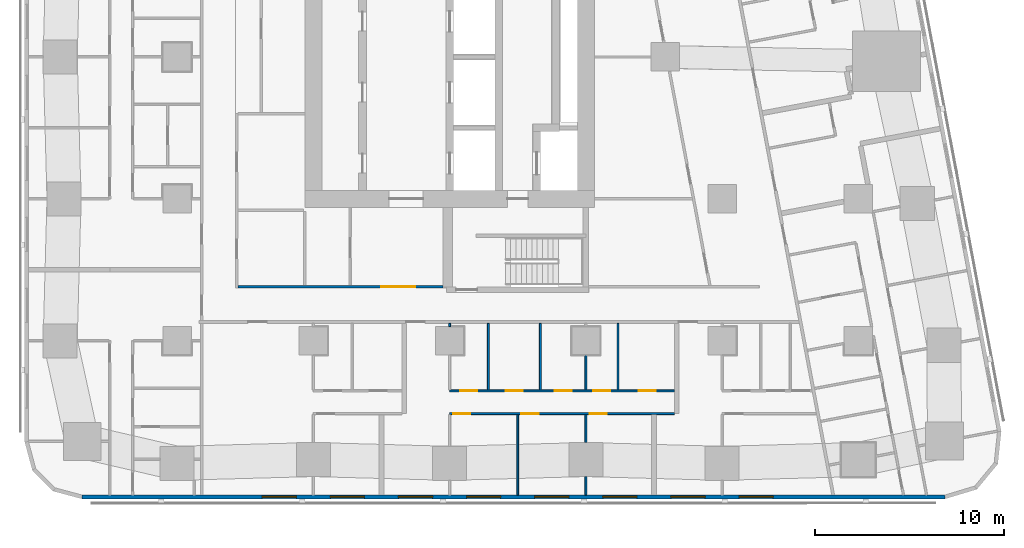
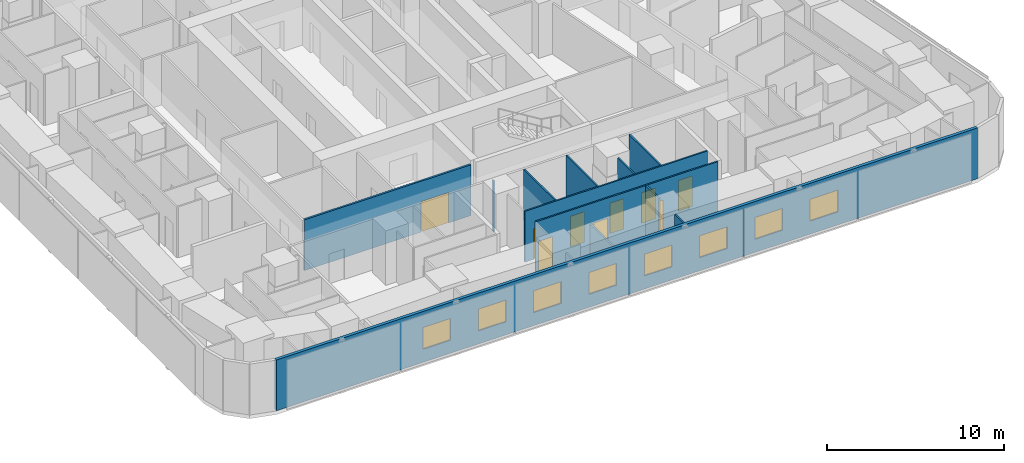
# One storey, part 3 of 15: 12 walls, 9 doors, 8 windows, 17 openings.
"""IFC4 building model written with IfcOpenShell, lengths in metres."""

from ifc_helpers import new_model, si_unit, direction, frame, frame_2d, origin, place, context, subcontext, project, spatial, rectangle, extrude, material, layer, layer_set, type_object, element, fill, save


model = new_model("IFC4")

# Units and contexts
model_context = context("Model", 3, precision=1e-05, world=origin(), true_north=direction((0.0, 1.0)))
body_context = subcontext(model_context, "Body", "Model", "MODEL_VIEW")
ifc_project = project(units=[si_unit("LENGTHUNIT", "METRE"), si_unit("AREAUNIT", "SQUARE_METRE"), si_unit("VOLUMEUNIT", "CUBIC_METRE"), si_unit("PLANEANGLEUNIT", "RADIAN"), si_unit("MASSUNIT", "GRAM", prefix="KILO")], contexts=[model_context])

# Site, building, storey
site_placement = place(None, origin())
site = spatial("IfcSite", under=ifc_project, at=site_placement, CompositionType="ELEMENT")
building_placement = place(site_placement, origin())
building = spatial("IfcBuilding", under=site, at=building_placement, Name="Sheger Commons Tower", CompositionType="ELEMENT")
storey_placement = place(building_placement, frame((0.0, 0.0, 162.050048828125)))
storey = spatial("IfcBuildingStorey", under=building, at=storey_placement, Name="L41", CompositionType="ELEMENT", Elevation=162.050048828125)

# Wall, openings, windows
ifc_material_1 = material(Name="Rendered concrete block masonry, dark grey", Category="masonry")
ifc_layer_1 = layer(ifc_material_1, 0.199951171875)
ifc_layer_set_1 = layer_set([ifc_layer_1], Name="FACADE WALL 200")
wall_type_1 = type_object("IfcWallType", Name="FACADE WALL 200", PredefinedType="SOLIDWALL", material=ifc_layer_set_1)
wall_1_placement = place(storey_placement, frame((2.1630859375, -0.75, 0.0), z_axis=(0.0, 0.0, 1.0), x_axis=(1.0, 0.0, 0.0)))
wall_1 = element("IfcWall", 1, at=wall_1_placement, inside=storey, type_object=wall_type_1, Name="Facade wall L41", PredefinedType="SOLIDWALL", context=body_context, shape_type="SweptSolid", body=[
    extrude(rectangle(XDim=45.6279296875, YDim=0.199951171875, at=frame_2d((22.81396484375, 0.0))), origin(), (0.0, 0.0, 1.0), 3.5),
])
opening_1_placement = place(wall_1_placement, frame((9.537109375, 0.0, 0.89990234375)))
opening_1 = element("IfcOpeningElement", 2, at=opening_1_placement, cuts=wall_1, Name="Opening W2", PredefinedType="OPENING", context=body_context, shape_type="SweptSolid", body=[
    extrude(rectangle(XDim=1.800048828125, YDim=1.5, at=frame_2d((0.89990234375, 0.75))), frame((0.0, 0.10986328125, 0.0), z_axis=(0.0, -1.0, 0.0), x_axis=(1.0, 0.0, 0.0)), (0.0, 0.0, 1.0), 0.219970703125),
])
opening_2_placement = place(wall_1_placement, frame((13.136962890625, 0.0, 0.89990234375)))
opening_2 = element("IfcOpeningElement", 3, at=opening_2_placement, cuts=wall_1, Name="Opening W2", PredefinedType="OPENING", context=body_context, shape_type="SweptSolid", body=[
    extrude(rectangle(XDim=1.800048828125, YDim=1.5, at=frame_2d((0.89990234375, 0.75))), frame((0.0, 0.10986328125, 0.0), z_axis=(0.0, -1.0, 0.0), x_axis=(1.0, 0.0, 0.0)), (0.0, 0.0, 1.0), 0.219970703125),
])
opening_3_placement = place(wall_1_placement, frame((16.737060546875, 0.0, 0.89990234375)))
opening_3 = element("IfcOpeningElement", 4, at=opening_3_placement, cuts=wall_1, Name="Opening W2", PredefinedType="OPENING", context=body_context, shape_type="SweptSolid", body=[
    extrude(rectangle(XDim=1.800048828125, YDim=1.5, at=frame_2d((0.89990234375, 0.75))), frame((0.0, 0.10986328125, 0.0), z_axis=(0.0, -1.0, 0.0), x_axis=(1.0, 0.0, 0.0)), (0.0, 0.0, 1.0), 0.219970703125),
])
opening_4_placement = place(wall_1_placement, frame((20.3369140625, 0.0, 0.89990234375)))
opening_4 = element("IfcOpeningElement", 5, at=opening_4_placement, cuts=wall_1, Name="Opening W2", PredefinedType="OPENING", context=body_context, shape_type="SweptSolid", body=[
    extrude(rectangle(XDim=1.800048828125, YDim=1.5, at=frame_2d((0.89990234375, 0.75))), frame((0.0, 0.10986328125, 0.0), z_axis=(0.0, -1.0, 0.0), x_axis=(1.0, 0.0, 0.0)), (0.0, 0.0, 1.0), 0.219970703125),
])
opening_5_placement = place(wall_1_placement, frame((23.93701171875, 0.0, 0.89990234375)))
opening_5 = element("IfcOpeningElement", 6, at=opening_5_placement, cuts=wall_1, Name="Opening W2", PredefinedType="OPENING", context=body_context, shape_type="SweptSolid", body=[
    extrude(rectangle(XDim=1.800048828125, YDim=1.5, at=frame_2d((0.89990234375, 0.75))), frame((0.0, 0.10986328125, 0.0), z_axis=(0.0, -1.0, 0.0), x_axis=(1.0, 0.0, 0.0)), (0.0, 0.0, 1.0), 0.219970703125),
])
opening_6_placement = place(wall_1_placement, frame((27.537109375, 0.0, 0.89990234375)))
opening_6 = element("IfcOpeningElement", 7, at=opening_6_placement, cuts=wall_1, Name="Opening W2", PredefinedType="OPENING", context=body_context, shape_type="SweptSolid", body=[
    extrude(rectangle(XDim=1.800048828125, YDim=1.5, at=frame_2d((0.89990234375, 0.75))), frame((0.0, 0.10986328125, 0.0), z_axis=(0.0, -1.0, 0.0), x_axis=(1.0, 0.0, 0.0)), (0.0, 0.0, 1.0), 0.219970703125),
])
opening_7_placement = place(wall_1_placement, frame((31.136962890625, 0.0, 0.89990234375)))
opening_7 = element("IfcOpeningElement", 8, at=opening_7_placement, cuts=wall_1, Name="Opening W2", PredefinedType="OPENING", context=body_context, shape_type="SweptSolid", body=[
    extrude(rectangle(XDim=1.800048828125, YDim=1.5, at=frame_2d((0.89990234375, 0.75))), frame((0.0, 0.10986328125, 0.0), z_axis=(0.0, -1.0, 0.0), x_axis=(1.0, 0.0, 0.0)), (0.0, 0.0, 1.0), 0.219970703125),
])
opening_8_placement = place(wall_1_placement, frame((34.737060546875, 0.0, 0.89990234375)))
opening_8 = element("IfcOpeningElement", 9, at=opening_8_placement, cuts=wall_1, Name="Opening W2", PredefinedType="OPENING", context=body_context, shape_type="SweptSolid", body=[
    extrude(rectangle(XDim=1.800048828125, YDim=1.5, at=frame_2d((0.89990234375, 0.75))), frame((0.0, 0.10986328125, 0.0), z_axis=(0.0, -1.0, 0.0), x_axis=(1.0, 0.0, 0.0)), (0.0, 0.0, 1.0), 0.219970703125),
])
ifc_material_2 = material(Name="Black aluminium frame, dark tinted double glazing", Category="aluminium")
window_type = type_object("IfcWindowType", Name="WINDOW W2 1800x1500", PartitioningType="SINGLE_PANEL", PredefinedType="WINDOW", material=ifc_material_2)
window_1_placement = place(opening_1_placement, origin())
window_1 = element("IfcWindow", 10, at=window_1_placement, inside=storey, type_object=window_type, Name="Window W2 1800X1500", OverallHeight=1.5, OverallWidth=1.800048828125, PartitioningType="SINGLE_PANEL", PredefinedType="WINDOW", context=body_context, shape_type="SweptSolid", body=[
    extrude(rectangle(XDim=1.800048828125, YDim=1.5, at=frame_2d((0.89990234375, 0.75))), frame((0.0, 0.030029296875, 0.0), z_axis=(0.0, -1.0, 0.0), x_axis=(1.0, 0.0, 0.0)), (0.0, 0.0, 1.0), 0.06005859375),
])
fill(opening_1, window_1)
window_2_placement = place(opening_2_placement, origin())
window_2 = element("IfcWindow", 11, at=window_2_placement, inside=storey, type_object=window_type, Name="Window W2 1800X1500", OverallHeight=1.5, OverallWidth=1.800048828125, PartitioningType="SINGLE_PANEL", PredefinedType="WINDOW", context=body_context, shape_type="SweptSolid", body=[
    extrude(rectangle(XDim=1.800048828125, YDim=1.5, at=frame_2d((0.89990234375, 0.75))), frame((0.0, 0.030029296875, 0.0), z_axis=(0.0, -1.0, 0.0), x_axis=(1.0, 0.0, 0.0)), (0.0, 0.0, 1.0), 0.06005859375),
])
fill(opening_2, window_2)
window_3_placement = place(opening_3_placement, origin())
window_3 = element("IfcWindow", 12, at=window_3_placement, inside=storey, type_object=window_type, Name="Window W2 1800X1500", OverallHeight=1.5, OverallWidth=1.800048828125, PartitioningType="SINGLE_PANEL", PredefinedType="WINDOW", context=body_context, shape_type="SweptSolid", body=[
    extrude(rectangle(XDim=1.800048828125, YDim=1.5, at=frame_2d((0.89990234375, 0.75))), frame((0.0, 0.030029296875, 0.0), z_axis=(0.0, -1.0, 0.0), x_axis=(1.0, 0.0, 0.0)), (0.0, 0.0, 1.0), 0.06005859375),
])
fill(opening_3, window_3)
window_4_placement = place(opening_4_placement, origin())
window_4 = element("IfcWindow", 13, at=window_4_placement, inside=storey, type_object=window_type, Name="Window W2 1800X1500", OverallHeight=1.5, OverallWidth=1.800048828125, PartitioningType="SINGLE_PANEL", PredefinedType="WINDOW", context=body_context, shape_type="SweptSolid", body=[
    extrude(rectangle(XDim=1.800048828125, YDim=1.5, at=frame_2d((0.89990234375, 0.75))), frame((0.0, 0.030029296875, 0.0), z_axis=(0.0, -1.0, 0.0), x_axis=(1.0, 0.0, 0.0)), (0.0, 0.0, 1.0), 0.06005859375),
])
fill(opening_4, window_4)
window_5_placement = place(opening_5_placement, origin())
window_5 = element("IfcWindow", 14, at=window_5_placement, inside=storey, type_object=window_type, Name="Window W2 1800X1500", OverallHeight=1.5, OverallWidth=1.800048828125, PartitioningType="SINGLE_PANEL", PredefinedType="WINDOW", context=body_context, shape_type="SweptSolid", body=[
    extrude(rectangle(XDim=1.800048828125, YDim=1.5, at=frame_2d((0.89990234375, 0.75))), frame((0.0, 0.030029296875, 0.0), z_axis=(0.0, -1.0, 0.0), x_axis=(1.0, 0.0, 0.0)), (0.0, 0.0, 1.0), 0.06005859375),
])
fill(opening_5, window_5)
window_6_placement = place(opening_6_placement, origin())
window_6 = element("IfcWindow", 15, at=window_6_placement, inside=storey, type_object=window_type, Name="Window W2 1800X1500", OverallHeight=1.5, OverallWidth=1.800048828125, PartitioningType="SINGLE_PANEL", PredefinedType="WINDOW", context=body_context, shape_type="SweptSolid", body=[
    extrude(rectangle(XDim=1.800048828125, YDim=1.5, at=frame_2d((0.89990234375, 0.75))), frame((0.0, 0.030029296875, 0.0), z_axis=(0.0, -1.0, 0.0), x_axis=(1.0, 0.0, 0.0)), (0.0, 0.0, 1.0), 0.06005859375),
])
fill(opening_6, window_6)
window_7_placement = place(opening_7_placement, origin())
window_7 = element("IfcWindow", 16, at=window_7_placement, inside=storey, type_object=window_type, Name="Window W2 1800X1500", OverallHeight=1.5, OverallWidth=1.800048828125, PartitioningType="SINGLE_PANEL", PredefinedType="WINDOW", context=body_context, shape_type="SweptSolid", body=[
    extrude(rectangle(XDim=1.800048828125, YDim=1.5, at=frame_2d((0.89990234375, 0.75))), frame((0.0, 0.030029296875, 0.0), z_axis=(0.0, -1.0, 0.0), x_axis=(1.0, 0.0, 0.0)), (0.0, 0.0, 1.0), 0.06005859375),
])
fill(opening_7, window_7)
window_8_placement = place(opening_8_placement, origin())
window_8 = element("IfcWindow", 17, at=window_8_placement, inside=storey, type_object=window_type, Name="Window W2 1800X1500", OverallHeight=1.5, OverallWidth=1.800048828125, PartitioningType="SINGLE_PANEL", PredefinedType="WINDOW", context=body_context, shape_type="SweptSolid", body=[
    extrude(rectangle(XDim=1.800048828125, YDim=1.5, at=frame_2d((0.89990234375, 0.75))), frame((0.0, 0.030029296875, 0.0), z_axis=(0.0, -1.0, 0.0), x_axis=(1.0, 0.0, 0.0)), (0.0, 0.0, 1.0), 0.06005859375),
])
fill(opening_8, window_8)

# Wall, openings, doors
ifc_material_3 = material(Name="Gypsum board on steel studs", Category="steel")
ifc_layer_2 = layer(ifc_material_3, 0.10009765625)
ifc_layer_set_2 = layer_set([ifc_layer_2], Name="PARTITION 100")
wall_type_2 = type_object("IfcWallType", Name="PARTITION 100", PredefinedType="PARTITIONING", material=ifc_layer_set_2)
wall_2_placement = place(storey_placement, frame((33.47412109375, 3.64990234375, 0.0), z_axis=(0.0, 0.0, 1.0), x_axis=(-1.0, 0.0, 0.0)))
wall_2 = element("IfcWall", 18, at=wall_2_placement, inside=storey, type_object=wall_type_2, Name="Partition L41", PredefinedType="PARTITIONING", context=body_context, shape_type="SweptSolid", body=[
    extrude(rectangle(XDim=11.8740234375, YDim=0.10009765625, at=frame_2d((5.93701171875, 0.0))), origin(), (0.0, 0.0, 1.0), 3.5),
])
opening_9_placement = place(wall_2_placement, frame((10.77392578125, 0.0, 0.0)))
opening_9 = element("IfcOpeningElement", 19, at=opening_9_placement, cuts=wall_2, Name="Opening D2", PredefinedType="OPENING", context=body_context, shape_type="SweptSolid", body=[
    extrude(rectangle(XDim=0.89990234375, YDim=2.10009765625, at=frame_2d((0.449951171875, 1.050048828125))), frame((0.0, 0.06005859375, 0.0), z_axis=(0.0, -1.0, 0.0), x_axis=(1.0, 0.0, 0.0)), (0.0, 0.0, 1.0), 0.1201171875),
])
opening_10_placement = place(wall_2_placement, frame((7.174072265625, 0.0, 0.0)))
opening_10 = element("IfcOpeningElement", 20, at=opening_10_placement, cuts=wall_2, Name="Opening D2", PredefinedType="OPENING", context=body_context, shape_type="SweptSolid", body=[
    extrude(rectangle(XDim=0.89990234375, YDim=2.10009765625, at=frame_2d((0.449951171875, 1.050048828125))), frame((0.0, 0.06005859375, 0.0), z_axis=(0.0, -1.0, 0.0), x_axis=(1.0, 0.0, 0.0)), (0.0, 0.0, 1.0), 0.1201171875),
])
opening_11_placement = place(wall_2_placement, frame((3.573974609375, 0.0, 0.0)))
opening_11 = element("IfcOpeningElement", 21, at=opening_11_placement, cuts=wall_2, Name="Opening D2", PredefinedType="OPENING", context=body_context, shape_type="SweptSolid", body=[
    extrude(rectangle(XDim=0.89990234375, YDim=2.10009765625, at=frame_2d((0.449951171875, 1.050048828125))), frame((0.0, 0.06005859375, 0.0), z_axis=(0.0, -1.0, 0.0), x_axis=(1.0, 0.0, 0.0)), (0.0, 0.0, 1.0), 0.1201171875),
])
ifc_material_4 = material(Name="Timber door set", Category="wood")
door_type_1 = type_object("IfcDoorType", Name="INTERNAL DOOR 900x2100", OperationType="NOTDEFINED", PredefinedType="DOOR", material=ifc_material_4)
door_1_placement = place(opening_9_placement, origin())
door_1 = element("IfcDoor", 22, at=door_1_placement, inside=storey, type_object=door_type_1, Name="Main bedroom door", OperationType="SINGLE_SWING_RIGHT", OverallHeight=2.10009765625, OverallWidth=0.89990234375, PredefinedType="DOOR", context=body_context, shape_type="SweptSolid", body=[
    extrude(rectangle(XDim=0.89990234375, YDim=2.10009765625, at=frame_2d((0.449951171875, 1.050048828125))), frame((0.0, 0.02490234375, 0.0), z_axis=(0.0, -1.0, 0.0), x_axis=(1.0, 0.0, 0.0)), (0.0, 0.0, 1.0), 0.050048828125),
])
fill(opening_9, door_1)
door_2_placement = place(opening_10_placement, origin())
door_2 = element("IfcDoor", 23, at=door_2_placement, inside=storey, type_object=door_type_1, Name="Bedroom 2 door", OperationType="SINGLE_SWING_RIGHT", OverallHeight=2.10009765625, OverallWidth=0.89990234375, PredefinedType="DOOR", context=body_context, shape_type="SweptSolid", body=[
    extrude(rectangle(XDim=0.89990234375, YDim=2.10009765625, at=frame_2d((0.449951171875, 1.050048828125))), frame((0.0, 0.02490234375, 0.0), z_axis=(0.0, -1.0, 0.0), x_axis=(1.0, 0.0, 0.0)), (0.0, 0.0, 1.0), 0.050048828125),
])
fill(opening_10, door_2)
door_3_placement = place(opening_11_placement, origin())
door_3 = element("IfcDoor", 24, at=door_3_placement, inside=storey, type_object=door_type_1, Name="Bedroom 3 door", OperationType="SINGLE_SWING_RIGHT", OverallHeight=2.10009765625, OverallWidth=0.89990234375, PredefinedType="DOOR", context=body_context, shape_type="SweptSolid", body=[
    extrude(rectangle(XDim=0.89990234375, YDim=2.10009765625, at=frame_2d((0.449951171875, 1.050048828125))), frame((0.0, 0.02490234375, 0.0), z_axis=(0.0, -1.0, 0.0), x_axis=(1.0, 0.0, 0.0)), (0.0, 0.0, 1.0), 0.050048828125),
])
fill(opening_11, door_3)

wall_3_placement = place(storey_placement, frame((33.47412109375, 4.85009765625, 0.0), z_axis=(0.0, 0.0, 1.0), x_axis=(-1.0, 0.0, 0.0)))
wall_3 = element("IfcWall", 25, at=wall_3_placement, inside=storey, type_object=wall_type_2, Name="Partition L41", PredefinedType="PARTITIONING", context=body_context, shape_type="SweptSolid", body=[
    extrude(rectangle(XDim=11.8740234375, YDim=0.10009765625, at=frame_2d((5.93701171875, 0.0))), origin(), (0.0, 0.0, 1.0), 3.5),
])
opening_12_placement = place(wall_3_placement, frame((10.39892578125, 0.0, 0.0)))
opening_12 = element("IfcOpeningElement", 26, at=opening_12_placement, cuts=wall_3, Name="Opening D2", PredefinedType="OPENING", context=body_context, shape_type="SweptSolid", body=[
    extrude(rectangle(XDim=0.89990234375, YDim=2.10009765625, at=frame_2d((0.449951171875, 1.050048828125))), frame((0.0, 0.06005859375, 0.0), z_axis=(0.0, -1.0, 0.0), x_axis=(1.0, 0.0, 0.0)), (0.0, 0.0, 1.0), 0.1201171875),
])
opening_13_placement = place(wall_3_placement, frame((5.425048828125, 0.0, 0.0)))
opening_13 = element("IfcOpeningElement", 27, at=opening_13_placement, cuts=wall_3, Name="Opening D2", PredefinedType="OPENING", context=body_context, shape_type="SweptSolid", body=[
    extrude(rectangle(XDim=0.89990234375, YDim=2.10009765625, at=frame_2d((0.449951171875, 1.050048828125))), frame((0.0, 0.06005859375, 0.0), z_axis=(0.0, -1.0, 0.0), x_axis=(1.0, 0.0, 0.0)), (0.0, 0.0, 1.0), 0.1201171875),
])
opening_14_placement = place(wall_3_placement, frame((3.3740234375, 0.0, 0.0)))
opening_14 = element("IfcOpeningElement", 28, at=opening_14_placement, cuts=wall_3, Name="Opening D2", PredefinedType="OPENING", context=body_context, shape_type="SweptSolid", body=[
    extrude(rectangle(XDim=0.89990234375, YDim=2.10009765625, at=frame_2d((0.449951171875, 1.050048828125))), frame((0.0, 0.06005859375, 0.0), z_axis=(0.0, -1.0, 0.0), x_axis=(1.0, 0.0, 0.0)), (0.0, 0.0, 1.0), 0.1201171875),
])
opening_15_placement = place(wall_3_placement, frame((8.0, 0.0, 0.0)))
opening_15 = element("IfcOpeningElement", 29, at=opening_15_placement, cuts=wall_3, Name="Opening D2", PredefinedType="OPENING", context=body_context, shape_type="SweptSolid", body=[
    extrude(rectangle(XDim=0.89990234375, YDim=2.10009765625, at=frame_2d((0.449951171875, 1.050048828125))), frame((0.0, 0.06005859375, 0.0), z_axis=(0.0, -1.0, 0.0), x_axis=(1.0, 0.0, 0.0)), (0.0, 0.0, 1.0), 0.1201171875),
])
opening_16_placement = place(wall_3_placement, frame((0.97509765625, 0.0, 0.0)))
opening_16 = element("IfcOpeningElement", 30, at=opening_16_placement, cuts=wall_3, Name="Opening D2", PredefinedType="OPENING", context=body_context, shape_type="SweptSolid", body=[
    extrude(rectangle(XDim=0.89990234375, YDim=2.10009765625, at=frame_2d((0.449951171875, 1.050048828125))), frame((0.0, 0.06005859375, 0.0), z_axis=(0.0, -1.0, 0.0), x_axis=(1.0, 0.0, 0.0)), (0.0, 0.0, 1.0), 0.1201171875),
])
door_4_placement = place(opening_12_placement, origin())
door_4 = element("IfcDoor", 31, at=door_4_placement, inside=storey, type_object=door_type_1, Name="Bathroom door", OperationType="SINGLE_SWING_LEFT", OverallHeight=2.10009765625, OverallWidth=0.89990234375, PredefinedType="DOOR", context=body_context, shape_type="SweptSolid", body=[
    extrude(rectangle(XDim=0.89990234375, YDim=2.10009765625, at=frame_2d((0.449951171875, 1.050048828125))), frame((0.0, 0.02490234375, 0.0), z_axis=(0.0, -1.0, 0.0), x_axis=(1.0, 0.0, 0.0)), (0.0, 0.0, 1.0), 0.050048828125),
])
fill(opening_12, door_4)
door_5_placement = place(opening_13_placement, origin())
door_5 = element("IfcDoor", 32, at=door_5_placement, inside=storey, type_object=door_type_1, Name="Laundry room door", OperationType="SINGLE_SWING_RIGHT", OverallHeight=2.10009765625, OverallWidth=0.89990234375, PredefinedType="DOOR", context=body_context, shape_type="SweptSolid", body=[
    extrude(rectangle(XDim=0.89990234375, YDim=2.10009765625, at=frame_2d((0.449951171875, 1.050048828125))), frame((0.0, 0.02490234375, 0.0), z_axis=(0.0, -1.0, 0.0), x_axis=(1.0, 0.0, 0.0)), (0.0, 0.0, 1.0), 0.050048828125),
])
fill(opening_13, door_5)
door_6_placement = place(opening_14_placement, origin())
door_6 = element("IfcDoor", 33, at=door_6_placement, inside=storey, type_object=door_type_1, Name="Laundry room door", OperationType="SINGLE_SWING_RIGHT", OverallHeight=2.10009765625, OverallWidth=0.89990234375, PredefinedType="DOOR", context=body_context, shape_type="SweptSolid", body=[
    extrude(rectangle(XDim=0.89990234375, YDim=2.10009765625, at=frame_2d((0.449951171875, 1.050048828125))), frame((0.0, 0.02490234375, 0.0), z_axis=(0.0, -1.0, 0.0), x_axis=(1.0, 0.0, 0.0)), (0.0, 0.0, 1.0), 0.050048828125),
])
fill(opening_14, door_6)
door_7_placement = place(opening_15_placement, origin())
door_7 = element("IfcDoor", 34, at=door_7_placement, inside=storey, type_object=door_type_1, Name="Store door", OperationType="SINGLE_SWING_LEFT", OverallHeight=2.10009765625, OverallWidth=0.89990234375, PredefinedType="DOOR", context=body_context, shape_type="SweptSolid", body=[
    extrude(rectangle(XDim=0.89990234375, YDim=2.10009765625, at=frame_2d((0.449951171875, 1.050048828125))), frame((0.0, 0.02490234375, 0.0), z_axis=(0.0, -1.0, 0.0), x_axis=(1.0, 0.0, 0.0)), (0.0, 0.0, 1.0), 0.050048828125),
])
fill(opening_15, door_7)
door_8_placement = place(opening_16_placement, origin())
door_8 = element("IfcDoor", 35, at=door_8_placement, inside=storey, type_object=door_type_1, Name="Store door", OperationType="SINGLE_SWING_RIGHT", OverallHeight=2.10009765625, OverallWidth=0.89990234375, PredefinedType="DOOR", context=body_context, shape_type="SweptSolid", body=[
    extrude(rectangle(XDim=0.89990234375, YDim=2.10009765625, at=frame_2d((0.449951171875, 1.050048828125))), frame((0.0, 0.02490234375, 0.0), z_axis=(0.0, -1.0, 0.0), x_axis=(1.0, 0.0, 0.0)), (0.0, 0.0, 1.0), 0.050048828125),
])
fill(opening_16, door_8)

# Walls
wall_4_placement = place(storey_placement, frame((25.199951171875, -0.64990234375, 0.0), z_axis=(0.0, 0.0, 1.0), x_axis=(0.0, 1.0, 0.0)))
element("IfcWall", 36, at=wall_4_placement, inside=storey, type_object=wall_type_2, Name="Partition L41", PredefinedType="PARTITIONING", context=body_context, shape_type="SweptSolid", body=[
    extrude(rectangle(XDim=4.25, YDim=0.10009765625, at=frame_2d((2.125, 0.0))), origin(), (0.0, 0.0, 1.0), 2.099853515625),
])
wall_5_placement = place(storey_placement, frame((28.800048828125, -0.64990234375, 0.0), z_axis=(0.0, 0.0, 1.0), x_axis=(0.0, 1.0, 0.0)))
element("IfcWall", 37, at=wall_5_placement, inside=storey, type_object=wall_type_2, Name="Partition L41", PredefinedType="PARTITIONING", context=body_context, shape_type="SweptSolid", body=[
    extrude(rectangle(XDim=0.973876953125, YDim=0.10009765625, at=frame_2d((0.48681640625, 0.0))), origin(), (0.0, 0.0, 1.0), 3.5),
])
wall_6_placement = place(storey_placement, frame((28.800048828125, 2.1259765625, 0.0), z_axis=(0.0, 0.0, 1.0), x_axis=(0.0, 1.0, 0.0)))
element("IfcWall", 38, at=wall_6_placement, inside=storey, type_object=wall_type_2, Name="Partition L41", PredefinedType="PARTITIONING", context=body_context, shape_type="SweptSolid", body=[
    extrude(rectangle(XDim=1.47412109375, YDim=0.10009765625, at=frame_2d((0.737060546875, 0.0))), origin(), (0.0, 0.0, 1.0), 3.5),
])
wall_7_placement = place(storey_placement, frame((21.60009765625, 8.2509765625, 0.0), z_axis=(0.0, 0.0, 1.0), x_axis=(0.0, 1.0, 0.0)))
element("IfcWall", 39, at=wall_7_placement, inside=storey, type_object=wall_type_2, Name="Partition L41", PredefinedType="PARTITIONING", context=body_context, shape_type="SweptSolid", body=[
    extrude(rectangle(XDim=0.174072265625, YDim=0.10009765625, at=frame_2d((0.0869140625, 0.0))), origin(), (0.0, 0.0, 1.0), 3.5),
])
wall_8_placement = place(storey_placement, frame((26.39892578125, 4.89990234375, 0.0), z_axis=(0.0, 0.0, 1.0), x_axis=(0.0, 1.0, 0.0)))
element("IfcWall", 40, at=wall_8_placement, inside=storey, type_object=wall_type_2, Name="Partition L41", PredefinedType="PARTITIONING", context=body_context, shape_type="SweptSolid", body=[
    extrude(rectangle(XDim=3.525146484375, YDim=0.10009765625, at=frame_2d((1.7626953125, 0.0))), origin(), (0.0, 0.0, 1.0), 3.5),
])
wall_9_placement = place(storey_placement, frame((28.800048828125, 4.89990234375, 0.0), z_axis=(0.0, 0.0, 1.0), x_axis=(0.0, 1.0, 0.0)))
element("IfcWall", 41, at=wall_9_placement, inside=storey, type_object=wall_type_2, Name="Partition L41", PredefinedType="PARTITIONING", context=body_context, shape_type="SweptSolid", body=[
    extrude(rectangle(XDim=1.84912109375, YDim=0.10009765625, at=frame_2d((0.924560546875, 0.0))), origin(), (0.0, 0.0, 1.0), 3.5),
])
for number, where, z_axis, x_axis, name in (
    (42, (23.64990234375, 4.89990234375, 0.0), (0.0, 0.0, 1.0), (0.0, 1.0, 0.0), "Partition L41"),
    (43, (30.5, 4.89990234375, 0.0), (0.0, 0.0, 1.0), (0.0, 1.0, 0.0), "Partition L41"),
):
    element("IfcWall", number, at=place(storey_placement, frame(where, z_axis=z_axis, x_axis=x_axis)), inside=storey, type_object=wall_type_2, Name=name, PredefinedType="PARTITIONING", context=body_context, shape_type="SweptSolid", body=[
        extrude(rectangle(XDim=3.525146484375, YDim=0.10009765625, at=frame_2d((1.7626953125, 0.0))), origin(), (0.0, 0.0, 1.0), 3.5),
    ])

# Wall, opening, door
ifc_material_5 = material(Name="Gypsum board on steel studs, two layers each side, fire rated", Category="steel")
ifc_layer_3 = layer(ifc_material_5, 0.125)
ifc_layer_set_3 = layer_set([ifc_layer_3], Name="SERVICE WALL 125")
wall_type_3 = type_object("IfcWallType", Name="SERVICE WALL 125", PredefinedType="PARTITIONING", material=ifc_layer_set_3)
wall_10_placement = place(storey_placement, frame((10.4130859375, 10.35009765625, 0.0), z_axis=(0.0, 0.0, 1.0), x_axis=(1.0, 0.0, 0.0)))
wall_10 = element("IfcWall", 44, at=wall_10_placement, inside=storey, type_object=wall_type_3, Name="Service room wall L41", PredefinedType="PARTITIONING", context=body_context, shape_type="SweptSolid", body=[
    extrude(rectangle(XDim=10.8369140625, YDim=0.125, at=frame_2d((5.41845703125, 0.0))), origin(), (0.0, 0.0, 1.0), 3.5),
])
opening_17_placement = place(wall_10_placement, frame((7.58203125, 0.0, 0.0)))
opening_17 = element("IfcOpeningElement", 45, at=opening_17_placement, cuts=wall_10, Name="Opening D6", PredefinedType="OPENING", context=body_context, shape_type="SweptSolid", body=[
    extrude(rectangle(XDim=1.800048828125, YDim=2.10009765625, at=frame_2d((0.89990234375, 1.050048828125))), frame((0.0, 0.072509765625, 0.0), z_axis=(0.0, -1.0, 0.0), x_axis=(1.0, 0.0, 0.0)), (0.0, 0.0, 1.0), 0.14501953125),
])
ifc_material_6 = material(Name="Steel door set, fire rated", Category="steel")
door_type_2 = type_object("IfcDoorType", Name="LOBBY DOUBLE DOOR 1800x2100", OperationType="DOUBLE_DOOR_SINGLE_SWING", PredefinedType="DOOR", material=ifc_material_6)
door_9_placement = place(opening_17_placement, origin())
door_9 = element("IfcDoor", 46, at=door_9_placement, inside=storey, type_object=door_type_2, Name="Lift lobby south door", OperationType="DOUBLE_DOOR_SINGLE_SWING", OverallHeight=2.10009765625, OverallWidth=1.800048828125, PredefinedType="DOOR", context=body_context, shape_type="SweptSolid", body=[
    extrude(rectangle(XDim=1.800048828125, YDim=2.10009765625, at=frame_2d((0.89990234375, 1.050048828125))), frame((0.0, 0.02490234375, 0.0), z_axis=(0.0, -1.0, 0.0), x_axis=(1.0, 0.0, 0.0)), (0.0, 0.0, 1.0), 0.050048828125),
])
fill(opening_17, door_9)

save(model, "model.ifc")
